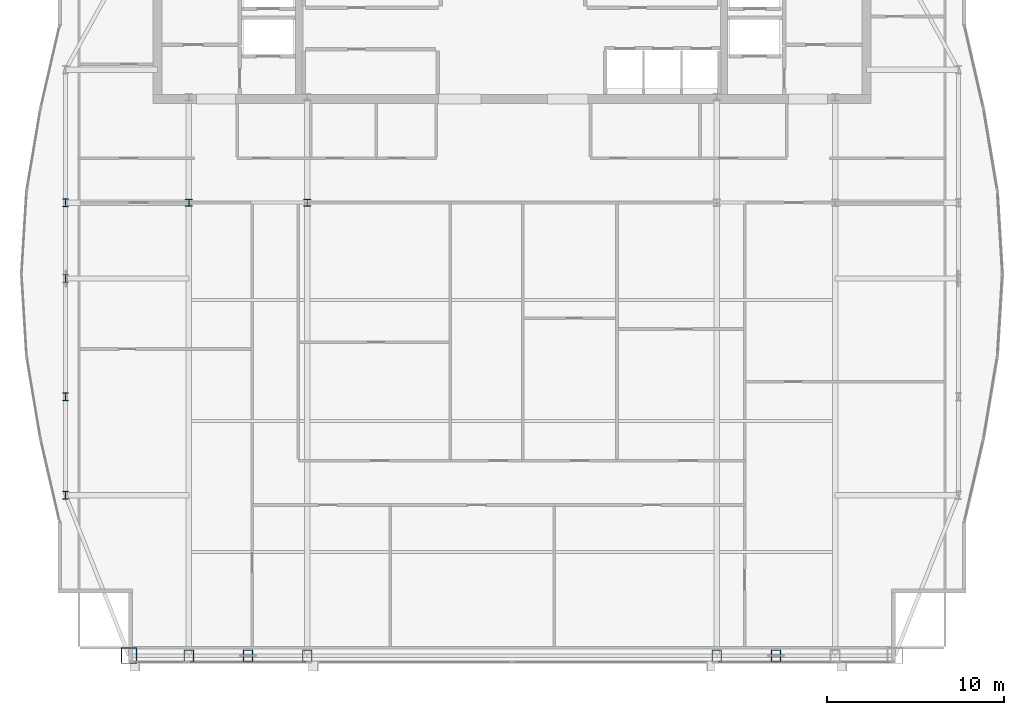
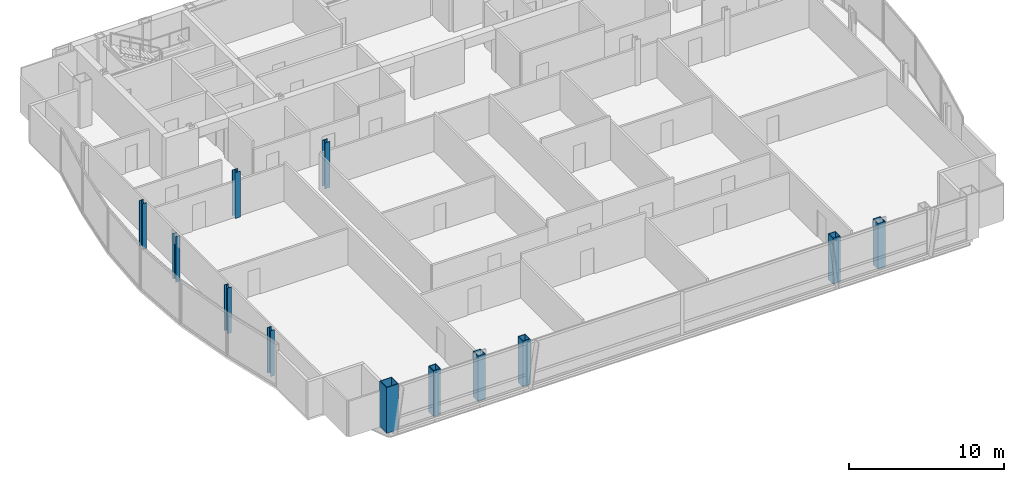
# One storey, part 1 of 29: 12 columns.
"""IFC4 building model written with IfcOpenShell, lengths in metres."""

from ifc_helpers import new_model, si_unit, direction, frame, origin, origin_2d, place, context, subcontext, project, spatial, hollow_rectangle, i_section, extrude, material, material_profile, profile_set, type_object, element, save


model = new_model("IFC4")

# Units and contexts
model_context = context("Model", 3, precision=1e-05, world=origin(), true_north=direction((0.0, 1.0)))
body_context = subcontext(model_context, "Body", "Model", "MODEL_VIEW")
ifc_project = project(units=[si_unit("LENGTHUNIT", "METRE"), si_unit("AREAUNIT", "SQUARE_METRE"), si_unit("VOLUMEUNIT", "CUBIC_METRE"), si_unit("PLANEANGLEUNIT", "RADIAN"), si_unit("MASSUNIT", "GRAM", prefix="KILO")], contexts=[model_context])

# Site, building, storey
site_placement = place(None, origin())
site = spatial("IfcSite", under=ifc_project, at=site_placement, CompositionType="ELEMENT")
building_placement = place(site_placement, origin())
building = spatial("IfcBuilding", under=site, at=building_placement, Name="Khoronbel Lancet Exchange", CompositionType="ELEMENT")
storey_placement = place(building_placement, frame((0.0, 0.0, 321.800048828125)))
storey = spatial("IfcBuildingStorey", under=building, at=storey_placement, Name="L83", CompositionType="ELEMENT", Elevation=321.800048828125)

# Columns
ifc_material_1 = material(Name="Steel S460", Category="steel")
ifc_material_profile_1 = material_profile(ifc_material_1, hollow_rectangle(XDim=0.550048828125, YDim=0.64990234375, WallThickness=0.0400390625, at=origin_2d()), Name="BOX 650x550x40")
ifc_profile_set_1 = profile_set([ifc_material_profile_1], Name="Steel S460")
column_type_1 = type_object("IfcColumnType", Name="COL-EC4", PredefinedType="COLUMN", material=ifc_profile_set_1)
for number, where, z_axis, x_axis, name in (
    (1, (18.22509765625, 10.14990234375, 0.0), (0.0, 0.0, 1.0), (1.0, 0.0, 0.0), "Structural column SC-W1 L83"),
    (2, (21.5625, 10.14990234375, 0.0), (0.0, 0.0, 1.0), (1.0, 0.0, 0.0), "Structural column SC-WM L83"),
    (3, (24.89990234375, 10.14990234375, 0.0), (0.0, 0.0, 1.0), (1.0, 0.0, 0.0), "Structural column SC-W2 L83"),
    (4, (48.0, 10.14990234375, 0.0), (0.0, 0.0, 1.0), (1.0, 0.0, 0.0), "Structural column SC-E1 L83"),
    (5, (51.33740234375, 10.14990234375, 0.0), (0.0, 0.0, 1.0), (1.0, 0.0, 0.0), "Structural column SC-EM L83"),
):
    element("IfcColumn", number, at=place(storey_placement, frame(where, z_axis=z_axis, x_axis=x_axis)), inside=storey, type_object=column_type_1, Name=name, PredefinedType="COLUMN", context=body_context, shape_type="SweptSolid", body=[
        extrude(hollow_rectangle(XDim=0.550048828125, YDim=0.64990234375, WallThickness=0.0400390625, at=origin_2d()), origin(), (0.0, 0.0, 1.0), 3.599853515625),
    ])
ifc_material_2 = material(Name="Steel S355", Category="steel")
ifc_material_profile_2 = material_profile(ifc_material_2, i_section(OverallWidth=0.39892578125, OverallDepth=0.39306640625, WebThickness=0.022705078125, FlangeThickness=0.03662109375, at=origin_2d()), Name="HD 400x287")
ifc_profile_set_2 = profile_set([ifc_material_profile_2], Name="Steel S355")
column_type_2 = type_object("IfcColumnType", Name="COL-IC4", PredefinedType="COLUMN", material=ifc_profile_set_2)
for number, where, z_axis, x_axis, name in (
    (6, (18.22509765625, 35.699951171875, 0.0), (0.0, 0.0, 1.0), (1.0, 0.0, 0.0), "Spine gravity column TC1 L83"),
    (7, (24.89990234375, 35.699951171875, 0.0), (0.0, 0.0, 1.0), (1.0, 0.0, 0.0), "Spine gravity column TC2 L83"),
):
    element("IfcColumn", number, at=place(storey_placement, frame(where, z_axis=z_axis, x_axis=x_axis)), inside=storey, type_object=column_type_2, Name=name, PredefinedType="COLUMN", context=body_context, shape_type="SweptSolid", body=[
        extrude(i_section(OverallWidth=0.39892578125, OverallDepth=0.39306640625, WebThickness=0.022705078125, FlangeThickness=0.03662109375, at=origin_2d()), origin(), (0.0, 0.0, 1.0), 3.599853515625),
    ])
ifc_material_profile_3 = material_profile(ifc_material_2, i_section(OverallWidth=0.300048828125, OverallDepth=0.449951171875, WebThickness=0.013916015625, FlangeThickness=0.02587890625, at=origin_2d()), Name="HEB 450")
ifc_profile_set_3 = profile_set([ifc_material_profile_3], Name="Steel S355")
column_type_3 = type_object("IfcColumnType", Name="COL-LC2", PredefinedType="COLUMN", material=ifc_profile_set_3)
for number, where, z_axis, x_axis, name in (
    (8, (11.27001953125, 19.199951171875, 0.0), (0.0, 0.0, 1.0), (1.0, 0.0, 0.0), "Structural column WC-1 L83"),
    (9, (11.27001953125, 24.75, 0.0), (0.0, 0.0, 1.0), (1.0, 0.0, 0.0), "Structural column WC-2 L83"),
    (10, (11.27001953125, 31.425048828125, 0.0), (0.0, 0.0, 1.0), (1.0, 0.0, 0.0), "Structural column WC-M L83"),
    (11, (11.27001953125, 35.699951171875, 0.0), (0.0, 0.0, 1.0), (1.0, 0.0, 0.0), "Structural column WC-3 L83"),
):
    element("IfcColumn", number, at=place(storey_placement, frame(where, z_axis=z_axis, x_axis=x_axis)), inside=storey, type_object=column_type_3, Name=name, PredefinedType="COLUMN", context=body_context, shape_type="SweptSolid", body=[
        extrude(i_section(OverallWidth=0.300048828125, OverallDepth=0.449951171875, WebThickness=0.013916015625, FlangeThickness=0.02587890625, at=origin_2d()), origin(), (0.0, 0.0, 1.0), 3.599853515625),
    ])
ifc_material_profile_4 = material_profile(ifc_material_1, hollow_rectangle(XDim=0.89990234375, YDim=0.89990234375, WallThickness=0.050048828125, at=origin_2d()), Name="BOX 900x900x50")
ifc_profile_set_4 = profile_set([ifc_material_profile_4], Name="Steel S460")
column_type_4 = type_object("IfcColumnType", Name="COL-MC7", PredefinedType="COLUMN", material=ifc_profile_set_4)
column_placement = place(storey_placement, frame((14.85009765625, 10.14990234375, 0.0), z_axis=(0.0, 0.0, 1.0), x_axis=(1.0, 0.0, 0.0)))
element("IfcColumn", 12, at=column_placement, inside=storey, type_object=column_type_4, Name="Structural column MC-SW L83", PredefinedType="COLUMN", context=body_context, shape_type="SweptSolid", body=[
    extrude(hollow_rectangle(XDim=0.89990234375, YDim=0.89990234375, WallThickness=0.050048828125, at=origin_2d()), origin(), (0.0, 0.0, 1.0), 3.599853515625),
])

save(model, "model.ifc")
